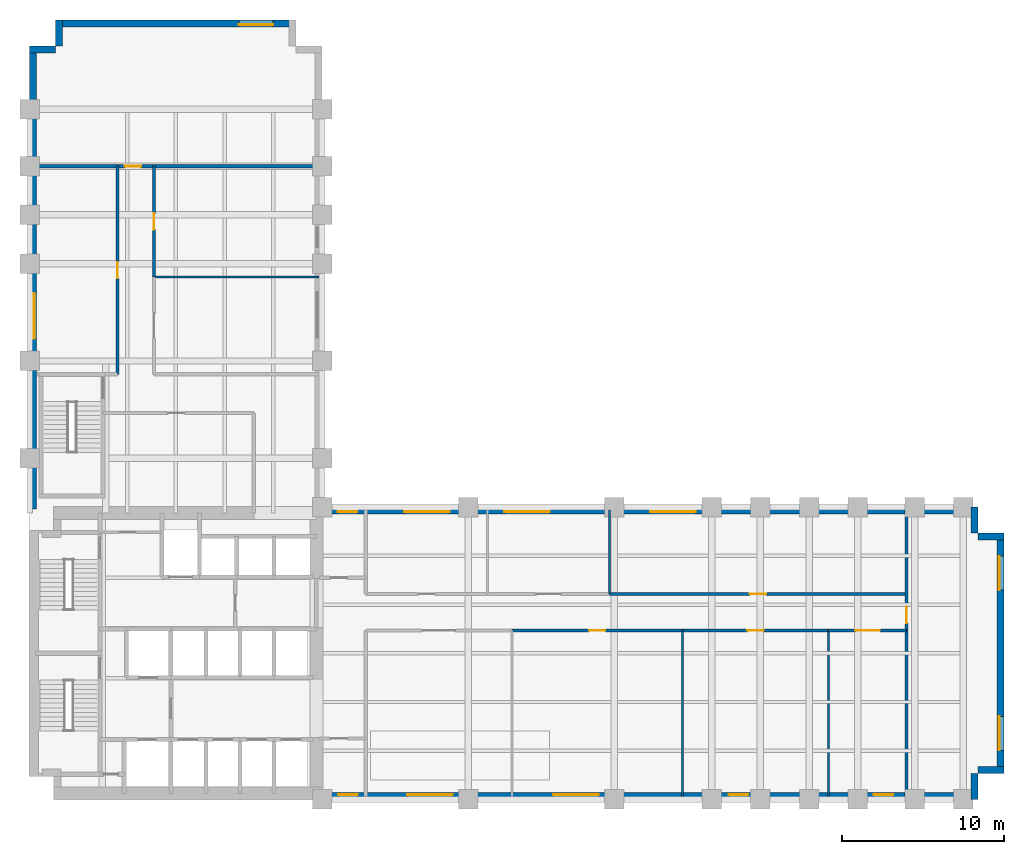
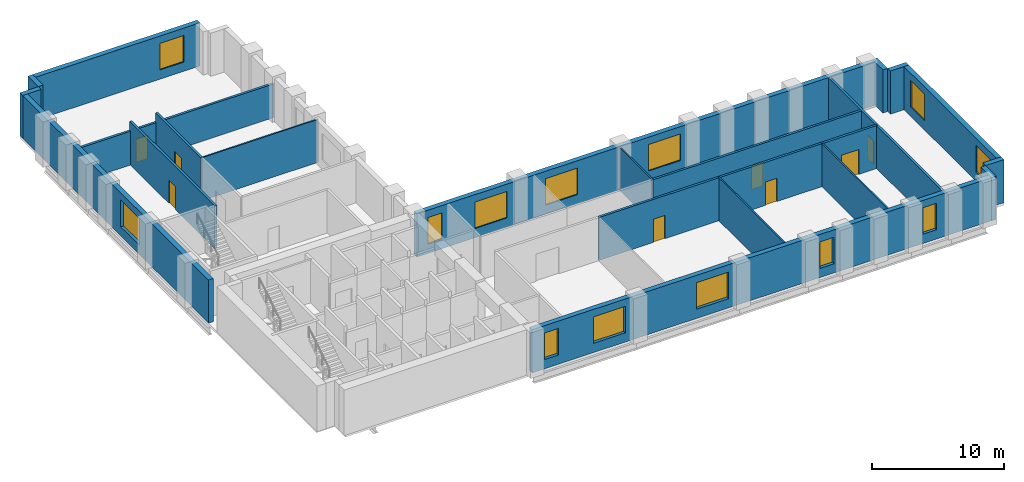
# One storey, part 5 of 7: 23 walls, 13 windows, 8 doors, 21 openings.
"""IFC4 building model written with IfcOpenShell, lengths in metres."""

from ifc_helpers import new_model, si_unit, direction, frame, frame_2d, origin, place, context, subcontext, project, spatial, rectangle, extrude, material, layer, layer_set, type_object, element, fill, save


model = new_model("IFC4")

# Units and contexts
model_context = context("Model", 3, precision=1e-05, world=origin(), true_north=direction((0.0, 1.0)))
body_context = subcontext(model_context, "Body", "Model", "MODEL_VIEW")
ifc_project = project(units=[si_unit("LENGTHUNIT", "METRE"), si_unit("AREAUNIT", "SQUARE_METRE"), si_unit("VOLUMEUNIT", "CUBIC_METRE"), si_unit("PLANEANGLEUNIT", "RADIAN"), si_unit("MASSUNIT", "GRAM", prefix="KILO")], contexts=[model_context])

# Site, building, storey
site_placement = place(None, origin())
site = spatial("IfcSite", under=ifc_project, at=site_placement, CompositionType="ELEMENT")
building_placement = place(site_placement, origin())
building = spatial("IfcBuilding", under=site, at=building_placement, Name="Mawjdan Bourse Tower", CompositionType="ELEMENT")
storey_placement = place(building_placement, frame((0.0, 0.0, 46.800048828125)))
storey = spatial("IfcBuildingStorey", under=building, at=storey_placement, Name="L10", CompositionType="ELEMENT", Elevation=46.800048828125)

# Wall, openings, windows
ifc_material_1 = material(Name="Brick Masonry Buff", Category="masonry")
ifc_layer_1 = layer(ifc_material_1, 0.419921875)
ifc_layer_set_1 = layer_set([ifc_layer_1], Name="Brick Masonry Buff")
wall_type_1 = type_object("IfcWallType", Name="WL-BRK-BUFF-420", PredefinedType="STANDARD", material=ifc_layer_set_1)
wall_1_placement = place(storey_placement, frame((23.89990234375, 3.2099609375, 0.0), z_axis=(0.0, 0.0, 1.0), x_axis=(1.0, 0.0, 0.0)))
wall_1 = element("IfcWall", 1, at=wall_1_placement, inside=storey, type_object=wall_type_1, Name="L10 Exterior Brick Wall 1", PredefinedType="STANDARD", context=body_context, shape_type="SweptSolid", body=[
    extrude(rectangle(XDim=40.5, YDim=0.419921875, at=frame_2d((20.25, 0.0))), origin(), (0.0, 0.0, 1.0), 3.97998046875),
])
opening_1_placement = place(wall_1_placement, frame((1.10009765625, 0.0, 0.85009765625)))
opening_1 = element("IfcOpeningElement", 2, at=opening_1_placement, cuts=wall_1, Name="Opening W-L10-07", PredefinedType="OPENING", context=body_context, shape_type="SweptSolid", body=[
    extrude(rectangle(XDim=1.199951171875, YDim=2.449951171875, at=frame_2d((0.60009765625, 1.22509765625))), frame((0.0, 0.219970703125, 0.0), z_axis=(0.0, -1.0, 0.0), x_axis=(1.0, 0.0, 0.0)), (0.0, 0.0, 1.0), 0.43994140625),
])
opening_2_placement = place(wall_1_placement, frame((5.336181640625, 0.0, 0.85009765625)))
opening_2 = element("IfcOpeningElement", 3, at=opening_2_placement, cuts=wall_1, Name="Opening W-L10-09", PredefinedType="OPENING", context=body_context, shape_type="SweptSolid", body=[
    extrude(rectangle(XDim=2.800048828125, YDim=2.449951171875, at=frame_2d((1.39990234375, 1.22509765625))), frame((0.0, 0.219970703125, 0.0), z_axis=(0.0, -1.0, 0.0), x_axis=(1.0, 0.0, 0.0)), (0.0, 0.0, 1.0), 0.43994140625),
])
opening_3_placement = place(wall_1_placement, frame((14.336181640625, 0.0, 0.85009765625)))
opening_3 = element("IfcOpeningElement", 4, at=opening_3_placement, cuts=wall_1, Name="Opening W-L10-10", PredefinedType="OPENING", context=body_context, shape_type="SweptSolid", body=[
    extrude(rectangle(XDim=2.800048828125, YDim=2.449951171875, at=frame_2d((1.39990234375, 1.22509765625))), frame((0.0, 0.219970703125, 0.0), z_axis=(0.0, -1.0, 0.0), x_axis=(1.0, 0.0, 0.0)), (0.0, 0.0, 1.0), 0.43994140625),
])
opening_4_placement = place(wall_1_placement, frame((25.13623046875, 0.0, 0.85009765625)))
opening_4 = element("IfcOpeningElement", 5, at=opening_4_placement, cuts=wall_1, Name="Opening W-L10-11", PredefinedType="OPENING", context=body_context, shape_type="SweptSolid", body=[
    extrude(rectangle(XDim=1.199951171875, YDim=2.449951171875, at=frame_2d((0.60009765625, 1.22509765625))), frame((0.0, 0.219970703125, 0.0), z_axis=(0.0, -1.0, 0.0), x_axis=(1.0, 0.0, 0.0)), (0.0, 0.0, 1.0), 0.43994140625),
])
opening_5_placement = place(wall_1_placement, frame((34.086181640625, 0.0, 0.85009765625)))
opening_5 = element("IfcOpeningElement", 6, at=opening_5_placement, cuts=wall_1, Name="Opening W-L10-12", PredefinedType="OPENING", context=body_context, shape_type="SweptSolid", body=[
    extrude(rectangle(XDim=1.199951171875, YDim=2.449951171875, at=frame_2d((0.60009765625, 1.22509765625))), frame((0.0, 0.219970703125, 0.0), z_axis=(0.0, -1.0, 0.0), x_axis=(1.0, 0.0, 0.0)), (0.0, 0.0, 1.0), 0.43994140625),
])
ifc_material_2 = material(Name="Solar-Control Clear Double Glazing", Category="glass")
window_type_1 = type_object("IfcWindowType", Name="WN-TRD-1200", PartitioningType="SINGLE_PANEL", PredefinedType="WINDOW", material=ifc_material_2)
window_1_placement = place(opening_1_placement, origin())
window_1 = element("IfcWindow", 7, at=window_1_placement, inside=storey, type_object=window_type_1, Name="L10 Deep-Set Masonry Window W-L10-07", OverallHeight=2.449951171875, OverallWidth=1.199951171875, PartitioningType="SINGLE_PANEL", PredefinedType="WINDOW", context=body_context, shape_type="SweptSolid", body=[
    extrude(rectangle(XDim=1.199951171875, YDim=2.449951171875, at=frame_2d((0.60009765625, 1.22509765625))), frame((0.0, 0.110107421875, 0.0), z_axis=(0.0, -1.0, 0.0), x_axis=(1.0, 0.0, 0.0)), (0.0, 0.0, 1.0), 0.06005859375),
])
fill(opening_1, window_1)
window_2_placement = place(opening_4_placement, origin())
window_2 = element("IfcWindow", 8, at=window_2_placement, inside=storey, type_object=window_type_1, Name="L10 Deep-Set Masonry Window W-L10-11", OverallHeight=2.449951171875, OverallWidth=1.199951171875, PartitioningType="SINGLE_PANEL", PredefinedType="WINDOW", context=body_context, shape_type="SweptSolid", body=[
    extrude(rectangle(XDim=1.199951171875, YDim=2.449951171875, at=frame_2d((0.60009765625, 1.22509765625))), frame((0.0, 0.110107421875, 0.0), z_axis=(0.0, -1.0, 0.0), x_axis=(1.0, 0.0, 0.0)), (0.0, 0.0, 1.0), 0.06005859375),
])
fill(opening_4, window_2)
window_3_placement = place(opening_5_placement, origin())
window_3 = element("IfcWindow", 9, at=window_3_placement, inside=storey, type_object=window_type_1, Name="L10 Deep-Set Masonry Window W-L10-12", OverallHeight=2.449951171875, OverallWidth=1.199951171875, PartitioningType="SINGLE_PANEL", PredefinedType="WINDOW", context=body_context, shape_type="SweptSolid", body=[
    extrude(rectangle(XDim=1.199951171875, YDim=2.449951171875, at=frame_2d((0.60009765625, 1.22509765625))), frame((0.0, 0.110107421875, 0.0), z_axis=(0.0, -1.0, 0.0), x_axis=(1.0, 0.0, 0.0)), (0.0, 0.0, 1.0), 0.06005859375),
])
fill(opening_5, window_3)
window_type_2 = type_object("IfcWindowType", Name="WN-TRD-2800", PartitioningType="SINGLE_PANEL", PredefinedType="WINDOW", material=ifc_material_2)
window_4_placement = place(opening_2_placement, origin())
window_4 = element("IfcWindow", 10, at=window_4_placement, inside=storey, type_object=window_type_2, Name="L10 Deep-Set Masonry Window W-L10-09", OverallHeight=2.449951171875, OverallWidth=2.800048828125, PartitioningType="SINGLE_PANEL", PredefinedType="WINDOW", context=body_context, shape_type="SweptSolid", body=[
    extrude(rectangle(XDim=2.800048828125, YDim=2.449951171875, at=frame_2d((1.39990234375, 1.22509765625))), frame((0.0, 0.110107421875, 0.0), z_axis=(0.0, -1.0, 0.0), x_axis=(1.0, 0.0, 0.0)), (0.0, 0.0, 1.0), 0.06005859375),
])
fill(opening_2, window_4)
window_5_placement = place(opening_3_placement, origin())
window_5 = element("IfcWindow", 11, at=window_5_placement, inside=storey, type_object=window_type_2, Name="L10 Deep-Set Masonry Window W-L10-10", OverallHeight=2.449951171875, OverallWidth=2.800048828125, PartitioningType="SINGLE_PANEL", PredefinedType="WINDOW", context=body_context, shape_type="SweptSolid", body=[
    extrude(rectangle(XDim=2.800048828125, YDim=2.449951171875, at=frame_2d((1.39990234375, 1.22509765625))), frame((0.0, 0.110107421875, 0.0), z_axis=(0.0, -1.0, 0.0), x_axis=(1.0, 0.0, 0.0)), (0.0, 0.0, 1.0), 0.06005859375),
])
fill(opening_3, window_5)

# Walls
for number, where, z_axis, x_axis, name in (
    (12, (64.18994140625, 3.0, 0.0), (0.0, 0.0, 1.0), (0.0, 1.0, 0.0), "L10 Exterior Brick Wall 2"),
    (13, (64.39990234375, 4.81005859375, 0.0), (0.0, 0.0, 1.0), (1.0, 0.0, 0.0), "L10 Exterior Brick Wall 3"),
):
    element("IfcWall", number, at=place(storey_placement, frame(where, z_axis=z_axis, x_axis=x_axis)), inside=storey, type_object=wall_type_1, Name=name, PredefinedType="STANDARD", context=body_context, shape_type="SweptSolid", body=[
        extrude(rectangle(XDim=1.60009765625, YDim=0.419921875, at=frame_2d((0.800048828125, 0.0))), origin(), (0.0, 0.0, 1.0), 3.97998046875),
    ])

# Wall, openings, windows
wall_2_placement = place(storey_placement, frame((65.7900390625, 4.60009765625, 0.0), z_axis=(0.0, 0.0, 1.0), x_axis=(0.0, 1.0, 0.0)))
wall_2 = element("IfcWall", 14, at=wall_2_placement, inside=storey, type_object=wall_type_1, Name="L10 Exterior Brick Wall 4", PredefinedType="STANDARD", context=body_context, shape_type="SweptSolid", body=[
    extrude(rectangle(XDim=14.7998046875, YDim=0.419921875, at=frame_2d((7.39990234375, 0.0))), origin(), (0.0, 0.0, 1.0), 3.97998046875),
])
opening_6_placement = place(wall_2_placement, frame((1.416748046875, 0.0, 0.85009765625)))
opening_6 = element("IfcOpeningElement", 15, at=opening_6_placement, cuts=wall_2, Name="Opening W-L10-01", PredefinedType="OPENING", context=body_context, shape_type="SweptSolid", body=[
    extrude(rectangle(XDim=2.10009765625, YDim=2.449951171875, at=frame_2d((1.050048828125, 1.22509765625))), frame((0.0, 0.219970703125, 0.0), z_axis=(0.0, -1.0, 0.0), x_axis=(1.0, 0.0, 0.0)), (0.0, 0.0, 1.0), 0.43994140625),
])
opening_7_placement = place(wall_2_placement, frame((11.283203125, 0.0, 0.85009765625)))
opening_7 = element("IfcOpeningElement", 16, at=opening_7_placement, cuts=wall_2, Name="Opening W-L10-02", PredefinedType="OPENING", context=body_context, shape_type="SweptSolid", body=[
    extrude(rectangle(XDim=2.10009765625, YDim=2.449951171875, at=frame_2d((1.050048828125, 1.22509765625))), frame((0.0, 0.219970703125, 0.0), z_axis=(0.0, -1.0, 0.0), x_axis=(1.0, 0.0, 0.0)), (0.0, 0.0, 1.0), 0.43994140625),
])
window_type_3 = type_object("IfcWindowType", Name="WN-TRD-2100", PartitioningType="SINGLE_PANEL", PredefinedType="WINDOW", material=ifc_material_2)
window_6_placement = place(opening_6_placement, origin())
window_6 = element("IfcWindow", 17, at=window_6_placement, inside=storey, type_object=window_type_3, Name="L10 Deep-Set Masonry Window W-L10-01", OverallHeight=2.449951171875, OverallWidth=2.10009765625, PartitioningType="SINGLE_PANEL", PredefinedType="WINDOW", context=body_context, shape_type="SweptSolid", body=[
    extrude(rectangle(XDim=2.10009765625, YDim=2.449951171875, at=frame_2d((1.050048828125, 1.22509765625))), frame((0.0, 0.110107421875, 0.0), z_axis=(0.0, -1.0, 0.0), x_axis=(1.0, 0.0, 0.0)), (0.0, 0.0, 1.0), 0.06005859375),
])
fill(opening_6, window_6)
window_7_placement = place(opening_7_placement, origin())
window_7 = element("IfcWindow", 18, at=window_7_placement, inside=storey, type_object=window_type_3, Name="L10 Deep-Set Masonry Window W-L10-02", OverallHeight=2.449951171875, OverallWidth=2.10009765625, PartitioningType="SINGLE_PANEL", PredefinedType="WINDOW", context=body_context, shape_type="SweptSolid", body=[
    extrude(rectangle(XDim=2.10009765625, YDim=2.449951171875, at=frame_2d((1.050048828125, 1.22509765625))), frame((0.0, 0.110107421875, 0.0), z_axis=(0.0, -1.0, 0.0), x_axis=(1.0, 0.0, 0.0)), (0.0, 0.0, 1.0), 0.06005859375),
])
fill(opening_7, window_7)

# Walls
for number, where, z_axis, x_axis, name in (
    (19, (66.0, 19.18994140625, 0.0), (0.0, 0.0, 1.0), (-1.0, 0.0, 0.0), "L10 Exterior Brick Wall 5"),
    (20, (64.18994140625, 19.39990234375, 0.0), (0.0, 0.0, 1.0), (0.0, 1.0, 0.0), "L10 Exterior Brick Wall 6"),
):
    element("IfcWall", number, at=place(storey_placement, frame(where, z_axis=z_axis, x_axis=x_axis)), inside=storey, type_object=wall_type_1, Name=name, PredefinedType="STANDARD", context=body_context, shape_type="SweptSolid", body=[
        extrude(rectangle(XDim=1.60009765625, YDim=0.419921875, at=frame_2d((0.800048828125, 0.0))), origin(), (0.0, 0.0, 1.0), 3.97998046875),
    ])

# Wall, openings, windows
wall_3_placement = place(storey_placement, frame((64.39990234375, 20.7900390625, 0.0), z_axis=(0.0, 0.0, 1.0), x_axis=(-1.0, 0.0, 0.0)))
wall_3 = element("IfcWall", 21, at=wall_3_placement, inside=storey, type_object=wall_type_1, Name="L10 Exterior Brick Wall 7", PredefinedType="STANDARD", context=body_context, shape_type="SweptSolid", body=[
    extrude(rectangle(XDim=40.39990234375, YDim=0.419921875, at=frame_2d((20.199951171875, 0.0))), origin(), (0.0, 0.0, 1.0), 3.97998046875),
])
opening_8_placement = place(wall_3_placement, frame((26.375, 0.0, 0.85009765625)))
opening_8 = element("IfcOpeningElement", 22, at=opening_8_placement, cuts=wall_3, Name="Opening W-L10-03", PredefinedType="OPENING", context=body_context, shape_type="SweptSolid", body=[
    extrude(rectangle(XDim=2.800048828125, YDim=2.449951171875, at=frame_2d((1.39990234375, 1.22509765625))), frame((0.0, 0.219970703125, 0.0), z_axis=(0.0, -1.0, 0.0), x_axis=(1.0, 0.0, 0.0)), (0.0, 0.0, 1.0), 0.43994140625),
])
opening_9_placement = place(wall_3_placement, frame((38.22216796875, 0.0, 0.85009765625)))
opening_9 = element("IfcOpeningElement", 23, at=opening_9_placement, cuts=wall_3, Name="Opening W-L10-08", PredefinedType="OPENING", context=body_context, shape_type="SweptSolid", body=[
    extrude(rectangle(XDim=1.199951171875, YDim=2.449951171875, at=frame_2d((0.60009765625, 1.22509765625))), frame((0.0, 0.219970703125, 0.0), z_axis=(0.0, -1.0, 0.0), x_axis=(1.0, 0.0, 0.0)), (0.0, 0.0, 1.0), 0.43994140625),
])
opening_10_placement = place(wall_3_placement, frame((32.5361328125, 0.0, 0.85009765625)))
opening_10 = element("IfcOpeningElement", 24, at=opening_10_placement, cuts=wall_3, Name="Opening W-L10-13", PredefinedType="OPENING", context=body_context, shape_type="SweptSolid", body=[
    extrude(rectangle(XDim=2.800048828125, YDim=2.449951171875, at=frame_2d((1.39990234375, 1.22509765625))), frame((0.0, 0.219970703125, 0.0), z_axis=(0.0, -1.0, 0.0), x_axis=(1.0, 0.0, 0.0)), (0.0, 0.0, 1.0), 0.43994140625),
])
opening_11_placement = place(wall_3_placement, frame((17.38623046875, 0.0, 0.85009765625)))
opening_11 = element("IfcOpeningElement", 25, at=opening_11_placement, cuts=wall_3, Name="Opening W-L10-14", PredefinedType="OPENING", context=body_context, shape_type="SweptSolid", body=[
    extrude(rectangle(XDim=2.800048828125, YDim=2.449951171875, at=frame_2d((1.39990234375, 1.22509765625))), frame((0.0, 0.219970703125, 0.0), z_axis=(0.0, -1.0, 0.0), x_axis=(1.0, 0.0, 0.0)), (0.0, 0.0, 1.0), 0.43994140625),
])
window_8_placement = place(opening_9_placement, origin())
window_8 = element("IfcWindow", 26, at=window_8_placement, inside=storey, type_object=window_type_1, Name="L10 Deep-Set Masonry Window W-L10-08", OverallHeight=2.449951171875, OverallWidth=1.199951171875, PartitioningType="SINGLE_PANEL", PredefinedType="WINDOW", context=body_context, shape_type="SweptSolid", body=[
    extrude(rectangle(XDim=1.199951171875, YDim=2.449951171875, at=frame_2d((0.60009765625, 1.22509765625))), frame((0.0, 0.110107421875, 0.0), z_axis=(0.0, -1.0, 0.0), x_axis=(1.0, 0.0, 0.0)), (0.0, 0.0, 1.0), 0.06005859375),
])
fill(opening_9, window_8)
window_9_placement = place(opening_8_placement, origin())
window_9 = element("IfcWindow", 27, at=window_9_placement, inside=storey, type_object=window_type_2, Name="L10 Deep-Set Masonry Window W-L10-03", OverallHeight=2.449951171875, OverallWidth=2.800048828125, PartitioningType="SINGLE_PANEL", PredefinedType="WINDOW", context=body_context, shape_type="SweptSolid", body=[
    extrude(rectangle(XDim=2.800048828125, YDim=2.449951171875, at=frame_2d((1.39990234375, 1.22509765625))), frame((0.0, 0.110107421875, 0.0), z_axis=(0.0, -1.0, 0.0), x_axis=(1.0, 0.0, 0.0)), (0.0, 0.0, 1.0), 0.06005859375),
])
fill(opening_8, window_9)
window_10_placement = place(opening_10_placement, origin())
window_10 = element("IfcWindow", 28, at=window_10_placement, inside=storey, type_object=window_type_2, Name="L10 Deep-Set Masonry Window W-L10-13", OverallHeight=2.449951171875, OverallWidth=2.800048828125, PartitioningType="SINGLE_PANEL", PredefinedType="WINDOW", context=body_context, shape_type="SweptSolid", body=[
    extrude(rectangle(XDim=2.800048828125, YDim=2.449951171875, at=frame_2d((1.39990234375, 1.22509765625))), frame((0.0, 0.110107421875, 0.0), z_axis=(0.0, -1.0, 0.0), x_axis=(1.0, 0.0, 0.0)), (0.0, 0.0, 1.0), 0.06005859375),
])
fill(opening_10, window_10)
window_11_placement = place(opening_11_placement, origin())
window_11 = element("IfcWindow", 29, at=window_11_placement, inside=storey, type_object=window_type_2, Name="L10 Deep-Set Masonry Window W-L10-14", OverallHeight=2.449951171875, OverallWidth=2.800048828125, PartitioningType="SINGLE_PANEL", PredefinedType="WINDOW", context=body_context, shape_type="SweptSolid", body=[
    extrude(rectangle(XDim=2.800048828125, YDim=2.449951171875, at=frame_2d((1.39990234375, 1.22509765625))), frame((0.0, 0.110107421875, 0.0), z_axis=(0.0, -1.0, 0.0), x_axis=(1.0, 0.0, 0.0)), (0.0, 0.0, 1.0), 0.06005859375),
])
fill(opening_11, window_11)

# Wall, opening, window
wall_4_placement = place(storey_placement, frame((22.39990234375, 50.7900390625, 0.0), z_axis=(0.0, 0.0, 1.0), x_axis=(-1.0, 0.0, 0.0)))
wall_4 = element("IfcWall", 30, at=wall_4_placement, inside=storey, type_object=wall_type_1, Name="L10 Exterior Brick Wall 11", PredefinedType="STANDARD", context=body_context, shape_type="SweptSolid", body=[
    extrude(rectangle(XDim=14.7998046875, YDim=0.419921875, at=frame_2d((7.39990234375, 0.0))), origin(), (0.0, 0.0, 1.0), 3.97998046875),
])
opening_12_placement = place(wall_4_placement, frame((1.416748046875, 0.0, 0.85009765625)))
opening_12 = element("IfcOpeningElement", 31, at=opening_12_placement, cuts=wall_4, Name="Opening W-L10-05", PredefinedType="OPENING", context=body_context, shape_type="SweptSolid", body=[
    extrude(rectangle(XDim=2.10009765625, YDim=2.449951171875, at=frame_2d((1.050048828125, 1.22509765625))), frame((0.0, 0.219970703125, 0.0), z_axis=(0.0, -1.0, 0.0), x_axis=(1.0, 0.0, 0.0)), (0.0, 0.0, 1.0), 0.43994140625),
])
window_12_placement = place(opening_12_placement, origin())
window_12 = element("IfcWindow", 32, at=window_12_placement, inside=storey, type_object=window_type_3, Name="L10 Deep-Set Masonry Window W-L10-05", OverallHeight=2.449951171875, OverallWidth=2.10009765625, PartitioningType="SINGLE_PANEL", PredefinedType="WINDOW", context=body_context, shape_type="SweptSolid", body=[
    extrude(rectangle(XDim=2.10009765625, YDim=2.449951171875, at=frame_2d((1.050048828125, 1.22509765625))), frame((0.0, 0.110107421875, 0.0), z_axis=(0.0, -1.0, 0.0), x_axis=(1.0, 0.0, 0.0)), (0.0, 0.0, 1.0), 0.06005859375),
])
fill(opening_12, window_12)

# Walls
for number, where, z_axis, x_axis, name in (
    (33, (7.81005859375, 51.0, 0.0), (0.0, 0.0, 1.0), (0.0, -1.0, 0.0), "L10 Exterior Brick Wall 12"),
    (34, (7.60009765625, 49.18994140625, 0.0), (0.0, 0.0, 1.0), (-1.0, 0.0, 0.0), "L10 Exterior Brick Wall 13"),
):
    element("IfcWall", number, at=place(storey_placement, frame(where, z_axis=z_axis, x_axis=x_axis)), inside=storey, type_object=wall_type_1, Name=name, PredefinedType="STANDARD", context=body_context, shape_type="SweptSolid", body=[
        extrude(rectangle(XDim=1.60009765625, YDim=0.419921875, at=frame_2d((0.800048828125, 0.0))), origin(), (0.0, 0.0, 1.0), 3.97998046875),
    ])

# Wall, opening, window
wall_5_placement = place(storey_placement, frame((6.2099609375, 49.39990234375, 0.0), z_axis=(0.0, 0.0, 1.0), x_axis=(0.0, -1.0, 0.0)))
wall_5 = element("IfcWall", 35, at=wall_5_placement, inside=storey, type_object=wall_type_1, Name="L10 Exterior Brick Wall 14", PredefinedType="STANDARD", context=body_context, shape_type="SweptSolid", body=[
    extrude(rectangle(XDim=28.5, YDim=0.419921875, at=frame_2d((14.25, 0.0))), origin(), (0.0, 0.0, 1.0), 3.97998046875),
])
opening_13_placement = place(wall_5_placement, frame((15.22509765625, 0.0, 0.85009765625)))
opening_13 = element("IfcOpeningElement", 36, at=opening_13_placement, cuts=wall_5, Name="Opening W-L10-06", PredefinedType="OPENING", context=body_context, shape_type="SweptSolid", body=[
    extrude(rectangle(XDim=2.800048828125, YDim=2.449951171875, at=frame_2d((1.39990234375, 1.22509765625))), frame((0.0, 0.219970703125, 0.0), z_axis=(0.0, -1.0, 0.0), x_axis=(1.0, 0.0, 0.0)), (0.0, 0.0, 1.0), 0.43994140625),
])
window_13_placement = place(opening_13_placement, origin())
window_13 = element("IfcWindow", 37, at=window_13_placement, inside=storey, type_object=window_type_2, Name="L10 Deep-Set Masonry Window W-L10-06", OverallHeight=2.449951171875, OverallWidth=2.800048828125, PartitioningType="SINGLE_PANEL", PredefinedType="WINDOW", context=body_context, shape_type="SweptSolid", body=[
    extrude(rectangle(XDim=2.800048828125, YDim=2.449951171875, at=frame_2d((1.39990234375, 1.22509765625))), frame((0.0, 0.110107421875, 0.0), z_axis=(0.0, -1.0, 0.0), x_axis=(1.0, 0.0, 0.0)), (0.0, 0.0, 1.0), 0.06005859375),
])
fill(opening_13, window_13)

# Wall, opening, door
ifc_material_3 = material(Name="Gypsum Fireboard Assembly")
ifc_layer_2 = layer(ifc_material_3, 0.199951171875)
ifc_layer_set_2 = layer_set([ifc_layer_2], Name="Gypsum Fireboard Assembly")
wall_type_2 = type_object("IfcWallType", Name="WL-CMP-200", PredefinedType="PARTITIONING", material=ifc_layer_set_2)
wall_6_placement = place(storey_placement, frame((35.699951171875, 13.39990234375, 0.0), z_axis=(0.0, 0.0, 1.0), x_axis=(1.0, 0.0, 0.0)))
wall_6 = element("IfcWall", 38, at=wall_6_placement, inside=storey, type_object=wall_type_2, Name="L10 Equities Research Library Corridor Wall", PredefinedType="PARTITIONING", context=body_context, shape_type="SweptSolid", body=[
    extrude(rectangle(XDim=10.5, YDim=0.199951171875, at=frame_2d((5.25, 0.0))), origin(), (0.0, 0.0, 1.0), 3.969970703125),
])
opening_14_placement = place(wall_6_placement, frame((4.75, 0.0, 0.0)))
opening_14 = element("IfcOpeningElement", 39, at=opening_14_placement, cuts=wall_6, Name="Opening D-L10-20", PredefinedType="OPENING", context=body_context, shape_type="SweptSolid", body=[
    extrude(rectangle(XDim=1.0, YDim=2.14990234375, at=frame_2d((0.5, 1.074951171875))), frame((0.0, 0.10986328125, 0.0), z_axis=(0.0, -1.0, 0.0), x_axis=(1.0, 0.0, 0.0)), (0.0, 0.0, 1.0), 0.219970703125),
])
ifc_material_4 = material(Name="Hardwood Acoustic Leaf", Category="wood")
door_type_1 = type_object("IfcDoorType", Name="DR-OFC-1000", OperationType="NOTDEFINED", PredefinedType="DOOR", material=ifc_material_4)
door_1_placement = place(opening_14_placement, origin())
door_1 = element("IfcDoor", 40, at=door_1_placement, inside=storey, type_object=door_type_1, Name="L10 Equities Research Library Door D-L10-20", OperationType="SINGLE_SWING_RIGHT", OverallHeight=2.14990234375, OverallWidth=1.0, PredefinedType="DOOR", context=body_context, shape_type="SweptSolid", body=[
    extrude(rectangle(XDim=1.0, YDim=2.14990234375, at=frame_2d((0.5, 1.074951171875))), frame((0.0, 0.02490234375, 0.0), z_axis=(0.0, -1.0, 0.0), x_axis=(1.0, 0.0, 0.0)), (0.0, 0.0, 1.0), 0.050048828125),
])
fill(opening_14, door_1)

wall_7_placement = place(storey_placement, frame((46.199951171875, 13.39990234375, 0.0), z_axis=(0.0, 0.0, 1.0), x_axis=(1.0, 0.0, 0.0)))
wall_7 = element("IfcWall", 41, at=wall_7_placement, inside=storey, type_object=wall_type_2, Name="L10 Brokerage Suite Corridor Wall", PredefinedType="PARTITIONING", context=body_context, shape_type="SweptSolid", body=[
    extrude(rectangle(XDim=9.0, YDim=0.199951171875, at=frame_2d((4.5, 0.0))), origin(), (0.0, 0.0, 1.0), 3.969970703125),
])
opening_15_placement = place(wall_7_placement, frame((4.0, 0.0, 0.0)))
opening_15 = element("IfcOpeningElement", 42, at=opening_15_placement, cuts=wall_7, Name="Opening D-L10-21", PredefinedType="OPENING", context=body_context, shape_type="SweptSolid", body=[
    extrude(rectangle(XDim=1.0, YDim=2.14990234375, at=frame_2d((0.5, 1.074951171875))), frame((0.0, 0.10986328125, 0.0), z_axis=(0.0, -1.0, 0.0), x_axis=(1.0, 0.0, 0.0)), (0.0, 0.0, 1.0), 0.219970703125),
])
door_2_placement = place(opening_15_placement, origin())
door_2 = element("IfcDoor", 43, at=door_2_placement, inside=storey, type_object=door_type_1, Name="L10 Brokerage Suite Door D-L10-21", OperationType="SINGLE_SWING_LEFT", OverallHeight=2.14990234375, OverallWidth=1.0, PredefinedType="DOOR", context=body_context, shape_type="SweptSolid", body=[
    extrude(rectangle(XDim=1.0, YDim=2.14990234375, at=frame_2d((0.5, 1.074951171875))), frame((0.0, 0.02490234375, 0.0), z_axis=(0.0, -1.0, 0.0), x_axis=(1.0, 0.0, 0.0)), (0.0, 0.0, 1.0), 0.050048828125),
])
fill(opening_15, door_2)

wall_8_placement = place(storey_placement, frame((55.199951171875, 13.39990234375, 0.0), z_axis=(0.0, 0.0, 1.0), x_axis=(1.0, 0.0, 0.0)))
wall_8 = element("IfcWall", 44, at=wall_8_placement, inside=storey, type_object=wall_type_2, Name="L10 Conference Room Corridor Wall", PredefinedType="PARTITIONING", context=body_context, shape_type="SweptSolid", body=[
    extrude(rectangle(XDim=4.800048828125, YDim=0.199951171875, at=frame_2d((2.39990234375, 0.0))), origin(), (0.0, 0.0, 1.0), 3.969970703125),
])
opening_16_placement = place(wall_8_placement, frame((1.64990234375, 0.0, 0.0)))
opening_16 = element("IfcOpeningElement", 45, at=opening_16_placement, cuts=wall_8, Name="Opening D-L10-22", PredefinedType="OPENING", context=body_context, shape_type="SweptSolid", body=[
    extrude(rectangle(XDim=1.5, YDim=2.300048828125, at=frame_2d((0.75, 1.14990234375))), frame((0.0, 0.10986328125, 0.0), z_axis=(0.0, -1.0, 0.0), x_axis=(1.0, 0.0, 0.0)), (0.0, 0.0, 1.0), 0.219970703125),
])
ifc_material_5 = material(Name="Acoustic Glazed Timber", Category="wood")
door_type_2 = type_object("IfcDoorType", Name="DR-CNF-1500", OperationType="DOUBLE_DOOR_SINGLE_SWING", PredefinedType="DOOR", material=ifc_material_5)
door_3_placement = place(opening_16_placement, origin())
door_3 = element("IfcDoor", 46, at=door_3_placement, inside=storey, type_object=door_type_2, Name="L10 Conference Room Door D-L10-22", OperationType="DOUBLE_DOOR_SINGLE_SWING", OverallHeight=2.300048828125, OverallWidth=1.5, PredefinedType="DOOR", context=body_context, shape_type="SweptSolid", body=[
    extrude(rectangle(XDim=1.5, YDim=2.300048828125, at=frame_2d((0.75, 1.14990234375))), frame((0.0, 0.02490234375, 0.0), z_axis=(0.0, -1.0, 0.0), x_axis=(1.0, 0.0, 0.0)), (0.0, 0.0, 1.0), 0.050048828125),
])
fill(opening_16, door_3)

wall_9_placement = place(storey_placement, frame((41.699951171875, 15.64990234375, 0.0), z_axis=(0.0, 0.0, 1.0), x_axis=(1.0, 0.0, 0.0)))
wall_9 = element("IfcWall", 47, at=wall_9_placement, inside=storey, type_object=wall_type_2, Name="L10 Executive Office Corridor Wall", PredefinedType="PARTITIONING", context=body_context, shape_type="SweptSolid", body=[
    extrude(rectangle(XDim=18.300048828125, YDim=0.199951171875, at=frame_2d((9.14990234375, 0.0))), origin(), (0.0, 0.0, 1.0), 3.969970703125),
])
opening_17_placement = place(wall_9_placement, frame((8.64990234375, 0.0, 0.0)))
opening_17 = element("IfcOpeningElement", 48, at=opening_17_placement, cuts=wall_9, Name="Opening D-L10-25", PredefinedType="OPENING", context=body_context, shape_type="SweptSolid", body=[
    extrude(rectangle(XDim=1.0, YDim=2.14990234375, at=frame_2d((0.5, 1.074951171875))), frame((0.0, 0.10986328125, 0.0), z_axis=(0.0, -1.0, 0.0), x_axis=(1.0, 0.0, 0.0)), (0.0, 0.0, 1.0), 0.219970703125),
])
door_4_placement = place(opening_17_placement, origin())
door_4 = element("IfcDoor", 49, at=door_4_placement, inside=storey, type_object=door_type_1, Name="L10 Executive Office Door D-L10-25", OperationType="SINGLE_SWING_LEFT", OverallHeight=2.14990234375, OverallWidth=1.0, PredefinedType="DOOR", context=body_context, shape_type="SweptSolid", body=[
    extrude(rectangle(XDim=1.0, YDim=2.14990234375, at=frame_2d((0.5, 1.074951171875))), frame((0.0, 0.02490234375, 0.0), z_axis=(0.0, -1.0, 0.0), x_axis=(1.0, 0.0, 0.0)), (0.0, 0.0, 1.0), 0.050048828125),
])
fill(opening_17, door_4)

wall_10_placement = place(storey_placement, frame((60.0, 3.179931640625, 0.0), z_axis=(0.0, 0.0, 1.0), x_axis=(0.0, 1.0, 0.0)))
wall_10 = element("IfcWall", 50, at=wall_10_placement, inside=storey, type_object=wall_type_2, Name="L10 East Tip Full Cross Wall", PredefinedType="PARTITIONING", context=body_context, shape_type="SweptSolid", body=[
    extrude(rectangle(XDim=17.64013671875, YDim=0.199951171875, at=frame_2d((8.820068359375, 0.0))), origin(), (0.0, 0.0, 1.0), 3.969970703125),
])
opening_18_placement = place(wall_10_placement, frame((10.675048828125, 0.0, 0.0)))
opening_18 = element("IfcOpeningElement", 51, at=opening_18_placement, cuts=wall_10, Name="Opening D-L10-26", PredefinedType="OPENING", context=body_context, shape_type="SweptSolid", body=[
    extrude(rectangle(XDim=1.0, YDim=2.14990234375, at=frame_2d((0.5, 1.074951171875))), frame((0.0, 0.10986328125, 0.0), z_axis=(0.0, -1.0, 0.0), x_axis=(1.0, 0.0, 0.0)), (0.0, 0.0, 1.0), 0.219970703125),
])
door_5_placement = place(opening_18_placement, origin())
door_5 = element("IfcDoor", 52, at=door_5_placement, inside=storey, type_object=door_type_1, Name="L10 East Tip Hall Door D-L10-26", OperationType="SINGLE_SWING_RIGHT", OverallHeight=2.14990234375, OverallWidth=1.0, PredefinedType="DOOR", context=body_context, shape_type="SweptSolid", body=[
    extrude(rectangle(XDim=1.0, YDim=2.14990234375, at=frame_2d((0.5, 1.074951171875))), frame((0.0, 0.02490234375, 0.0), z_axis=(0.0, -1.0, 0.0), x_axis=(1.0, 0.0, 0.0)), (0.0, 0.0, 1.0), 0.050048828125),
])
fill(opening_18, door_5)

wall_11_placement = place(storey_placement, frame((11.39990234375, 29.179931640625, 0.0), z_axis=(0.0, 0.0, 1.0), x_axis=(0.0, 1.0, 0.0)))
wall_11 = element("IfcWall", 53, at=wall_11_placement, inside=storey, type_object=wall_type_2, Name="L10 Equities Research Library Corridor Wall", PredefinedType="PARTITIONING", context=body_context, shape_type="SweptSolid", body=[
    extrude(rectangle(XDim=12.820068359375, YDim=0.199951171875, at=frame_2d((6.41015625, 0.0))), origin(), (0.0, 0.0, 1.0), 3.969970703125),
])
opening_19_placement = place(wall_11_placement, frame((5.909912109375, 0.0, 0.0)))
opening_19 = element("IfcOpeningElement", 54, at=opening_19_placement, cuts=wall_11, Name="Opening D-L10-28", PredefinedType="OPENING", context=body_context, shape_type="SweptSolid", body=[
    extrude(rectangle(XDim=1.0, YDim=2.14990234375, at=frame_2d((0.5, 1.074951171875))), frame((0.0, 0.10986328125, 0.0), z_axis=(0.0, -1.0, 0.0), x_axis=(1.0, 0.0, 0.0)), (0.0, 0.0, 1.0), 0.219970703125),
])
door_6_placement = place(opening_19_placement, origin())
door_6 = element("IfcDoor", 55, at=door_6_placement, inside=storey, type_object=door_type_1, Name="L10 Equities Research Library Door D-L10-28", OperationType="SINGLE_SWING_RIGHT", OverallHeight=2.14990234375, OverallWidth=1.0, PredefinedType="DOOR", context=body_context, shape_type="SweptSolid", body=[
    extrude(rectangle(XDim=1.0, YDim=2.14990234375, at=frame_2d((0.5, 1.074951171875))), frame((0.0, 0.02490234375, 0.0), z_axis=(0.0, -1.0, 0.0), x_axis=(1.0, 0.0, 0.0)), (0.0, 0.0, 1.0), 0.050048828125),
])
fill(opening_19, door_6)

wall_12_placement = place(storey_placement, frame((13.64990234375, 35.179931640625, 0.0), z_axis=(0.0, 0.0, 1.0), x_axis=(0.0, 1.0, 0.0)))
wall_12 = element("IfcWall", 56, at=wall_12_placement, inside=storey, type_object=wall_type_2, Name="L10 Executive Office Corridor Wall", PredefinedType="PARTITIONING", context=body_context, shape_type="SweptSolid", body=[
    extrude(rectangle(XDim=6.820068359375, YDim=0.199951171875, at=frame_2d((3.41015625, 0.0))), origin(), (0.0, 0.0, 1.0), 3.969970703125),
])
opening_20_placement = place(wall_12_placement, frame((2.909912109375, 0.0, 0.0)))
opening_20 = element("IfcOpeningElement", 57, at=opening_20_placement, cuts=wall_12, Name="Opening D-L10-30", PredefinedType="OPENING", context=body_context, shape_type="SweptSolid", body=[
    extrude(rectangle(XDim=1.0, YDim=2.14990234375, at=frame_2d((0.5, 1.074951171875))), frame((0.0, 0.10986328125, 0.0), z_axis=(0.0, -1.0, 0.0), x_axis=(1.0, 0.0, 0.0)), (0.0, 0.0, 1.0), 0.219970703125),
])
door_7_placement = place(opening_20_placement, origin())
door_7 = element("IfcDoor", 58, at=door_7_placement, inside=storey, type_object=door_type_1, Name="L10 Executive Office Door D-L10-30", OperationType="SINGLE_SWING_LEFT", OverallHeight=2.14990234375, OverallWidth=1.0, PredefinedType="DOOR", context=body_context, shape_type="SweptSolid", body=[
    extrude(rectangle(XDim=1.0, YDim=2.14990234375, at=frame_2d((0.5, 1.074951171875))), frame((0.0, 0.02490234375, 0.0), z_axis=(0.0, -1.0, 0.0), x_axis=(1.0, 0.0, 0.0)), (0.0, 0.0, 1.0), 0.050048828125),
])
fill(opening_20, door_7)

wall_13_placement = place(storey_placement, frame((6.179931640625, 42.0, 0.0), z_axis=(0.0, 0.0, 1.0), x_axis=(1.0, 0.0, 0.0)))
wall_13 = element("IfcWall", 59, at=wall_13_placement, inside=storey, type_object=wall_type_2, Name="L10 North Tip Full Cross Wall", PredefinedType="PARTITIONING", context=body_context, shape_type="SweptSolid", body=[
    extrude(rectangle(XDim=17.64013671875, YDim=0.199951171875, at=frame_2d((8.820068359375, 0.0))), origin(), (0.0, 0.0, 1.0), 3.114013671875),
])
opening_21_placement = place(wall_13_placement, frame((5.675048828125, 0.0, 0.0)))
opening_21 = element("IfcOpeningElement", 60, at=opening_21_placement, cuts=wall_13, Name="Opening D-L10-31", PredefinedType="OPENING", context=body_context, shape_type="SweptSolid", body=[
    extrude(rectangle(XDim=1.0, YDim=2.14990234375, at=frame_2d((0.5, 1.074951171875))), frame((0.0, 0.10986328125, 0.0), z_axis=(0.0, -1.0, 0.0), x_axis=(1.0, 0.0, 0.0)), (0.0, 0.0, 1.0), 0.219970703125),
])
door_8_placement = place(opening_21_placement, origin())
door_8 = element("IfcDoor", 61, at=door_8_placement, inside=storey, type_object=door_type_1, Name="L10 North Tip Suite Door D-L10-31", OperationType="SINGLE_SWING_RIGHT", OverallHeight=2.14990234375, OverallWidth=1.0, PredefinedType="DOOR", context=body_context, shape_type="SweptSolid", body=[
    extrude(rectangle(XDim=1.0, YDim=2.14990234375, at=frame_2d((0.5, 1.074951171875))), frame((0.0, 0.02490234375, 0.0), z_axis=(0.0, -1.0, 0.0), x_axis=(1.0, 0.0, 0.0)), (0.0, 0.0, 1.0), 0.050048828125),
])
fill(opening_21, door_8)

# Walls
ifc_material_6 = material(Name="Gypsum Partition")
ifc_layer_3 = layer(ifc_material_6, 0.125)
ifc_layer_set_3 = layer_set([ifc_layer_3], Name="Gypsum Partition")
wall_type_3 = type_object("IfcWallType", Name="WL-PRT-125", PredefinedType="PARTITIONING", material=ifc_layer_set_3)
for number, where, z_axis, x_axis, name in (
    (62, (46.199951171875, 3.179931640625, 0.0), (0.0, 0.0, 1.0), (0.0, 1.0, 0.0), "L10 Brokerage Suite Partition"),
    (63, (55.199951171875, 3.179931640625, 0.0), (0.0, 0.0, 1.0), (0.0, 1.0, 0.0), "L10 Conference Room Partition"),
):
    element("IfcWall", number, at=place(storey_placement, frame(where, z_axis=z_axis, x_axis=x_axis)), inside=storey, type_object=wall_type_3, Name=name, PredefinedType="PARTITIONING", context=body_context, shape_type="SweptSolid", body=[
        extrude(rectangle(XDim=10.219970703125, YDim=0.125, at=frame_2d((5.10986328125, 0.0))), origin(), (0.0, 0.0, 1.0), 3.969970703125),
    ])
wall_14_placement = place(storey_placement, frame((41.699951171875, 15.64990234375, 0.0), z_axis=(0.0, 0.0, 1.0), x_axis=(0.0, 1.0, 0.0)))
element("IfcWall", 64, at=wall_14_placement, inside=storey, type_object=wall_type_3, Name="L10 Executive Office Partition", PredefinedType="PARTITIONING", context=body_context, shape_type="SweptSolid", body=[
    extrude(rectangle(XDim=5.170166015625, YDim=0.125, at=frame_2d((2.5849609375, 0.0))), origin(), (0.0, 0.0, 1.0), 3.969970703125),
])
wall_15_placement = place(storey_placement, frame((13.64990234375, 35.179931640625, 0.0), z_axis=(0.0, 0.0, 1.0), x_axis=(1.0, 0.0, 0.0)))
element("IfcWall", 65, at=wall_15_placement, inside=storey, type_object=wall_type_3, Name="L10 Executive Office Partition", PredefinedType="PARTITIONING", context=body_context, shape_type="SweptSolid", body=[
    extrude(rectangle(XDim=10.170166015625, YDim=0.125, at=frame_2d((5.0849609375, 0.0))), origin(), (0.0, 0.0, 1.0), 3.969970703125),
])

save(model, "model.ifc")
